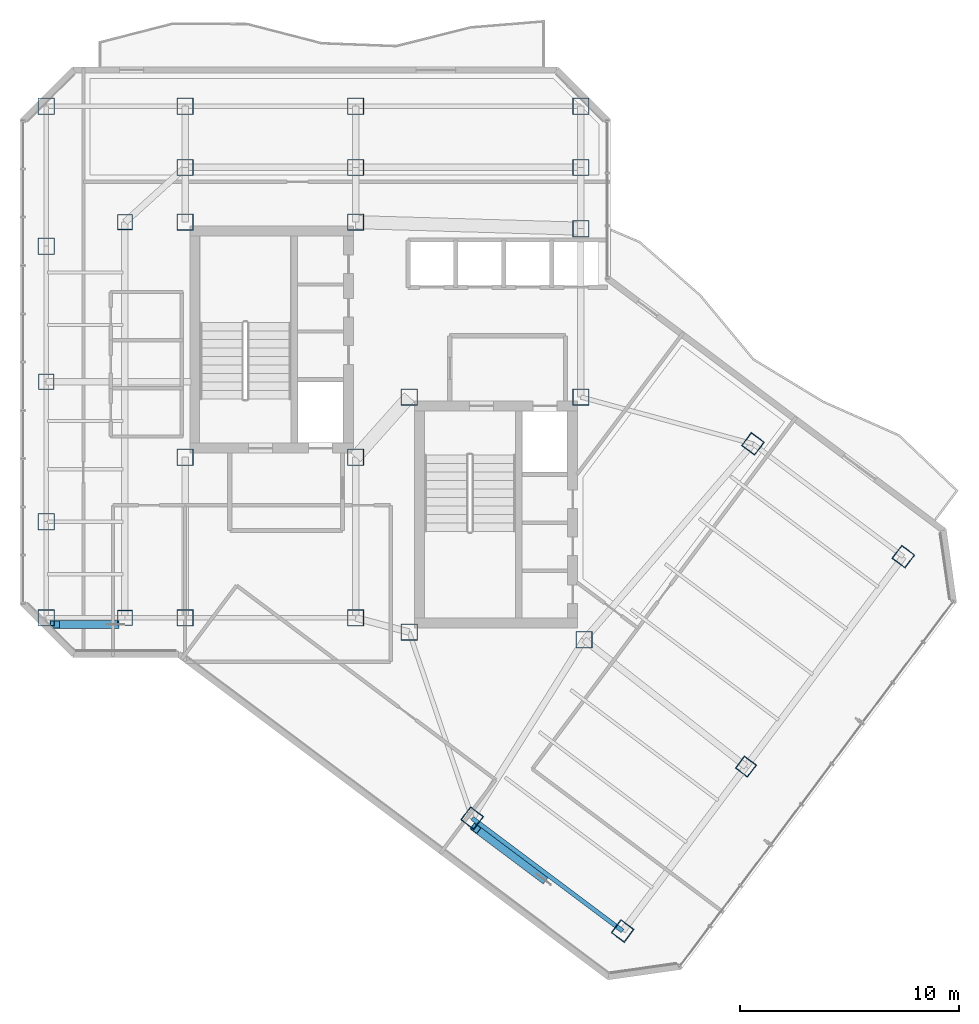
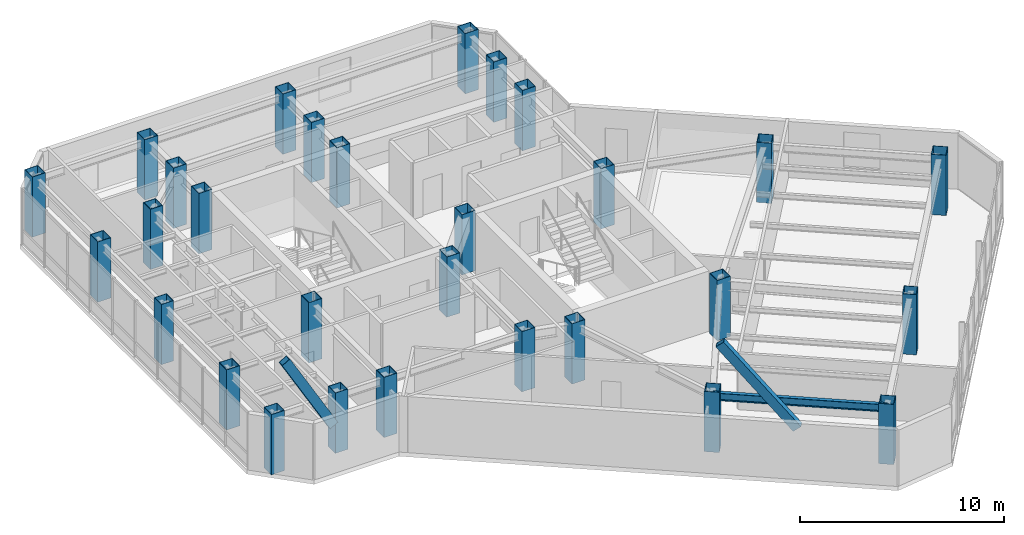
# One storey, part 1 of 25: 29 columns, 2 members, 1 beam.
"""IFC4 building model written with IfcOpenShell, lengths in metres."""

from ifc_helpers import new_model, si_unit, direction, frame, origin, origin_2d, place, context, subcontext, project, spatial, hollow_rectangle, i_section, extrude, material, material_profile, profile_set, type_object, element, save


model = new_model("IFC4")

# Units and contexts
model_context = context("Model", 3, precision=1e-05, world=origin(), true_north=direction((0.0, 1.0)))
body_context = subcontext(model_context, "Body", "Model", "MODEL_VIEW")
ifc_project = project(units=[si_unit("LENGTHUNIT", "METRE"), si_unit("AREAUNIT", "SQUARE_METRE"), si_unit("VOLUMEUNIT", "CUBIC_METRE"), si_unit("PLANEANGLEUNIT", "RADIAN"), si_unit("MASSUNIT", "GRAM", prefix="KILO")], contexts=[model_context])

# Site, building, storey
site_placement = place(None, origin())
site = spatial("IfcSite", under=ifc_project, at=site_placement, CompositionType="ELEMENT")
building_placement = place(site_placement, origin())
building = spatial("IfcBuilding", under=site, at=building_placement, Name="Hatsunagi Terrace Concourse", CompositionType="ELEMENT")
storey_placement = place(building_placement, frame((0.0, 0.0, 205.949951171875)))
storey = spatial("IfcBuildingStorey", under=building, at=storey_placement, Name="L54", CompositionType="ELEMENT", Elevation=205.949951171875)

# Columns
ifc_material_1 = material(Name="Steel BCP325T", Category="steel")
ifc_material_profile_1 = material_profile(ifc_material_1, hollow_rectangle(XDim=0.699951171875, YDim=0.699951171875, WallThickness=0.028076171875, at=origin_2d()), Name="BCP-700x700x28")
ifc_profile_set_1 = profile_set([ifc_material_profile_1], Name="Steel BCP325T")
column_type_1 = type_object("IfcColumnType", Name="TowerBoxColumn_700x700x28", PredefinedType="COLUMN", material=ifc_profile_set_1)
for number, where, z_axis, x_axis, name in (
    (1, (22.800048828125, 25.199951171875, 0.0), (0.0, 0.0, 1.0), (1.0, 0.0, 0.0), "Column C-08 L54-CW1"),
    (2, (22.800048828125, 43.300048828125, 0.0), (0.0, 0.0, 1.0), (1.0, 0.0, 0.0), "Column C-08 L54-CW2"),
    (3, (19.199951171875, 36.0, 0.0), (0.0, 0.0, 1.0), (1.0, 0.0, 0.0), "Column C-08 L54-WT2"),
    (4, (51.199951171875, 18.39990234375, 0.0), (0.0, 0.0, 1.0), (0.799999996291, -0.600000004945, 0.0), "Column C-08 L54-SEM2"),
):
    element("IfcColumn", number, at=place(storey_placement, frame(where, z_axis=z_axis, x_axis=x_axis)), inside=storey, type_object=column_type_1, Name=name, PredefinedType="COLUMN", context=body_context, shape_type="SweptSolid", body=[
        extrude(hollow_rectangle(XDim=0.699951171875, YDim=0.699951171875, WallThickness=0.028076171875, at=origin_2d()), origin(), (0.0, 0.0, 1.0), 3.60009765625),
    ])
ifc_material_2 = material(Name="Steel BCP325T", Category="steel")
ifc_material_profile_2 = material_profile(ifc_material_2, hollow_rectangle(XDim=0.75, YDim=0.75, WallThickness=0.028076171875, at=origin_2d()), Name="BCP-750x750x28")
ifc_profile_set_2 = profile_set([ifc_material_profile_2], Name="Steel BCP325T")
column_type_2 = type_object("IfcColumnType", Name="TowerBoxColumn_750x750x28", PredefinedType="COLUMN", material=ifc_profile_set_2)
for number, where, z_axis, x_axis, name in (
    (5, (25.550048828125, 32.550048828125, 0.0), (0.0, 0.0, 1.0), (1.0, 0.0, 0.0), "Column C-07 L54-CASW"),
    (6, (33.35009765625, 32.550048828125, 0.0), (0.0, 0.0, 1.0), (1.0, 0.0, 0.0), "Column C-07 L54-CASE"),
    (7, (25.550048828125, 43.300048828125, 0.0), (0.0, 0.0, 1.0), (1.0, 0.0, 0.0), "Column C-07 L54-CANW"),
    (8, (33.35009765625, 43.300048828125, 0.0), (0.0, 0.0, 1.0), (1.0, 0.0, 0.0), "Column C-07 L54-CANE"),
    (9, (35.800048828125, 24.550048828125, 0.0), (0.0, 0.0, 1.0), (1.0, 0.0, 0.0), "Column C-07 L54-CBSW"),
    (10, (43.800048828125, 24.199951171875, 0.0), (0.0, 0.0, 1.0), (1.0, 0.0, 0.0), "Column C-07 L54-CBSE"),
    (11, (35.800048828125, 35.300048828125, 0.0), (0.0, 0.0, 1.0), (1.0, 0.0, 0.0), "Column C-07 L54-CBNW"),
    (12, (43.64990234375, 35.300048828125, 0.0), (0.0, 0.0, 1.0), (1.0, 0.0, 0.0), "Column C-07 L54-CBNE"),
    (13, (25.550048828125, 25.199951171875, 0.0), (0.0, 0.0, 1.0), (1.0, 0.0, 0.0), "Column C-07 L54-K1"),
    (14, (33.35009765625, 25.199951171875, 0.0), (0.0, 0.0, 1.0), (1.0, 0.0, 0.0), "Column C-07 L54-K2"),
    (15, (43.64990234375, 43.0, 0.0), (0.0, 0.0, 1.0), (1.0, 0.0, 0.0), "Column C-07 L54-K3"),
    (16, (25.550048828125, 45.800048828125, 0.0), (0.0, 0.0, 1.0), (1.0, 0.0, 0.0), "Column C-07 L54-CN1"),
    (17, (33.35009765625, 45.800048828125, 0.0), (0.0, 0.0, 1.0), (1.0, 0.0, 0.0), "Column C-07 L54-CN2"),
    (18, (43.64990234375, 45.800048828125, 0.0), (0.0, 0.0, 1.0), (1.0, 0.0, 0.0), "Column C-07 L54-CN3"),
    (19, (19.199951171875, 48.60009765625, 0.0), (0.0, 0.0, 1.0), (1.0, 0.0, 0.0), "Column C-07 L54-WN3"),
    (20, (25.550048828125, 48.60009765625, 0.0), (0.0, 0.0, 1.0), (1.0, 0.0, 0.0), "Column C-07 L54-WN4"),
    (21, (33.35009765625, 48.60009765625, 0.0), (0.0, 0.0, 1.0), (1.0, 0.0, 0.0), "Column C-07 L54-WN5"),
    (22, (43.64990234375, 48.60009765625, 0.0), (0.0, 0.0, 1.0), (1.0, 0.0, 0.0), "Column C-07 L54-WN6"),
    (23, (19.199951171875, 25.199951171875, 0.0), (0.0, 0.0, 1.0), (1.0, 0.0, 0.0), "Column C-07 L54-WS3"),
    (24, (19.199951171875, 29.60009765625, 0.0), (0.0, 0.0, 1.0), (1.0, 0.0, 0.0), "Column C-07 L54-WR1"),
    (25, (19.199951171875, 42.199951171875, 0.0), (0.0, 0.0, 1.0), (1.0, 0.0, 0.0), "Column C-07 L54-WR2"),
    (26, (38.679931640625, 16.0400390625, 0.0), (0.0, 0.0, 1.0), (0.799999996291, -0.600000004945, 0.0), "Column C-07 L54-SES1"),
    (27, (51.52001953125, 33.159912109375, 0.0), (0.0, 0.0, 1.0), (0.799999996291, -0.600000004945, 0.0), "Column C-07 L54-SEN1"),
    (28, (45.56005859375, 10.8798828125, 0.0), (0.0, 0.0, 1.0), (0.799999996291, -0.600000004945, 0.0), "Column C-07 L54-SES2"),
    (29, (58.39990234375, 28.0, 0.0), (0.0, 0.0, 1.0), (0.799999996291, -0.600000004945, 0.0), "Column C-07 L54-SEN2"),
):
    element("IfcColumn", number, at=place(storey_placement, frame(where, z_axis=z_axis, x_axis=x_axis)), inside=storey, type_object=column_type_2, Name=name, PredefinedType="COLUMN", context=body_context, shape_type="SweptSolid", body=[
        extrude(hollow_rectangle(XDim=0.75, YDim=0.75, WallThickness=0.028076171875, at=origin_2d()), origin(), (0.0, 0.0, 1.0), 3.60009765625),
    ])

# Beam
ifc_material_3 = material(Name="Steel SN490B", Category="steel")
ifc_material_profile_3 = material_profile(ifc_material_3, i_section(OverallWidth=0.199951171875, OverallDepth=0.449951171875, WebThickness=0.009033203125, FlangeThickness=0.013916015625, FilletRadius=0.01611328125, at=origin_2d()), Name="H-450x200x9x14")
ifc_profile_set_3 = profile_set([ifc_material_profile_3], Name="Steel SN490B")
beam_type = type_object("IfcBeamType", Name="PerimeterSpandrel_H_450x200", PredefinedType="SPANDREL", material=ifc_profile_set_3)
beam_placement = place(storey_placement, frame((38.679931640625, 16.0400390625, 3.125), z_axis=(0.799996593451, -0.600004542038, 0.0), x_axis=(0.600004542038, 0.799996593451, 0.0)))
element("IfcBeam", 30, at=beam_placement, inside=storey, type_object=beam_type, Name="Beam SP-02 BM-L54-SE-SW2", PredefinedType="SPANDREL", context=body_context, shape_type="SweptSolid", body=[
    extrude(i_section(OverallWidth=0.199951171875, OverallDepth=0.449951171875, WebThickness=0.009033203125, FlangeThickness=0.013916015625, FilletRadius=0.01611328125, at=origin_2d()), origin(), (0.0, 0.0, 1.0), 8.60009765625),
])

# Members
ifc_material_4 = material(Name="Steel SN490B", Category="steel")
ifc_material_profile_4 = material_profile(ifc_material_4, hollow_rectangle(XDim=0.35009765625, YDim=0.5, WallThickness=0.02197265625, at=origin_2d()), Name="RHS-500x350x22")
ifc_profile_set_4 = profile_set([ifc_material_profile_4], Name="Steel SN490B")
member_type = type_object("IfcMemberType", Name="PerimeterXBrace_Upper_RHS_500x350x22", PredefinedType="BRACE", material=ifc_profile_set_4)
member_1_placement = place(storey_placement, frame((19.60009765625, 24.89990234375, 6.510009765625), z_axis=(0.497691064471, 0.0, -0.867354370684), x_axis=(0.0, 1.0, 0.0)))
element("IfcMember", 31, at=member_1_placement, inside=storey, type_object=member_type, Name="Perimeter X-Brace Split Upper XB-03 XB-L53-W1B1", PredefinedType="BRACE", context=body_context, shape_type="SweptSolid", body=[
    extrude(hollow_rectangle(XDim=0.35009765625, YDim=0.5, WallThickness=0.02197265625, at=origin_2d()), origin(), (0.0, 0.0, 1.0), 5.434814453125),
])
member_2_placement = place(storey_placement, frame((38.83203125, 15.575927734375, 6.510009765625), z_axis=(0.502319538306, -0.376629081511, -0.778348004685), x_axis=(0.599887279023, 0.800084528326, 0.0)))
element("IfcMember", 32, at=member_2_placement, inside=storey, type_object=member_type, Name="Perimeter X-Brace Split Upper XB-03 XB-L53-SEB1", PredefinedType="BRACE", context=body_context, shape_type="SweptSolid", body=[
    extrude(hollow_rectangle(XDim=0.35009765625, YDim=0.5, WallThickness=0.02197265625, at=origin_2d()), origin(), (0.0, 0.0, 1.0), 6.072021484375),
])

save(model, "model.ifc")
